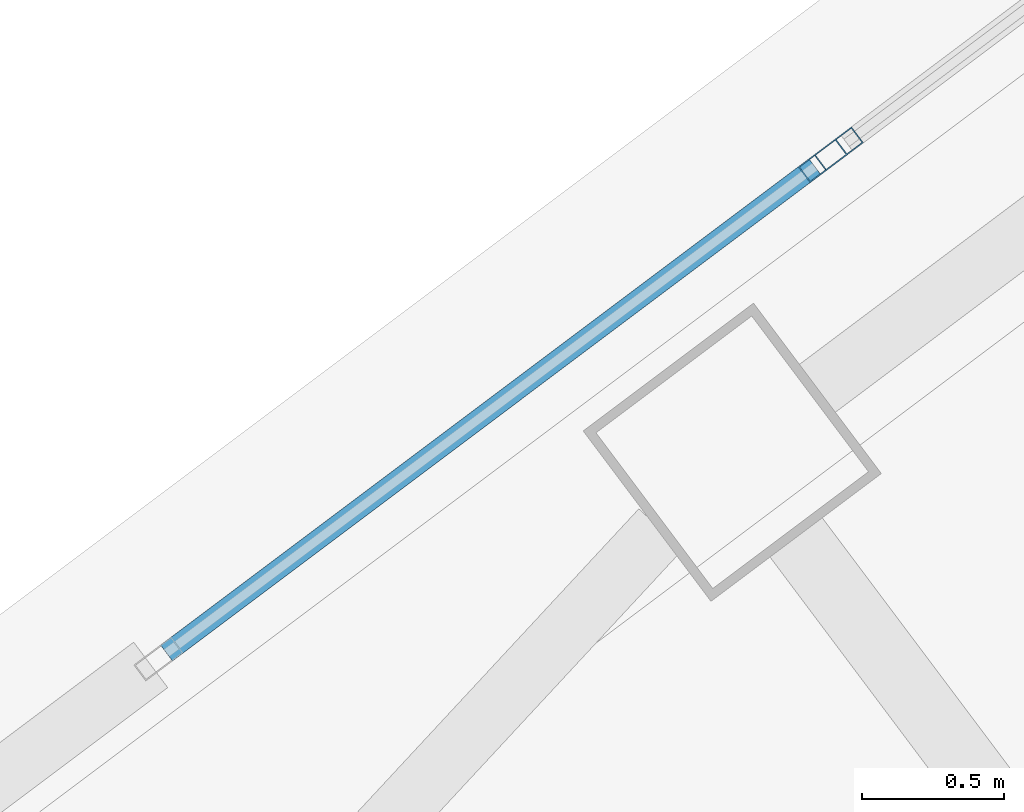
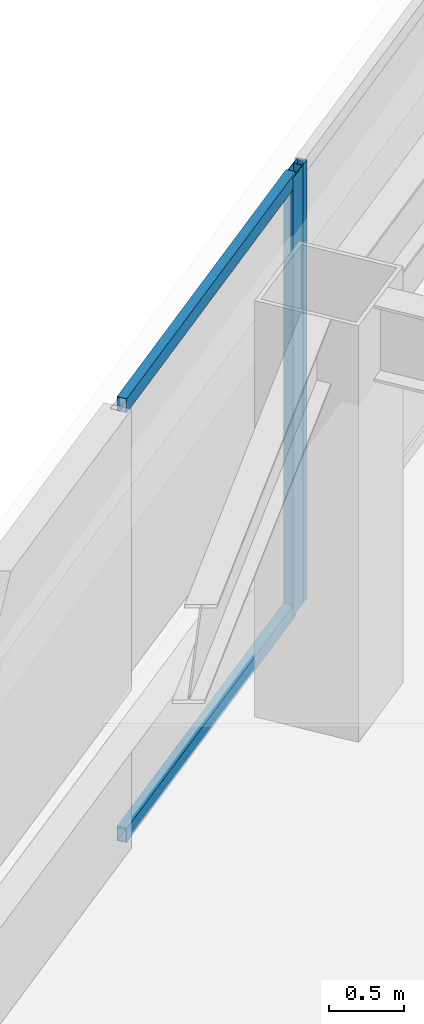
# One storey, part 21 of 39: 4 members, 2 elements without a shape of their own.
"""IFC4 building model written with IfcOpenShell, lengths in metres."""

from ifc_helpers import new_model, si_unit, direction, frame, origin, origin_2d, place, context, subcontext, project, spatial, hollow_rectangle, extrude, material, material_profile, profile_set, type_object, element, aggregate, save


model = new_model("IFC4")

# Units and contexts
model_context = context("Model", 3, precision=1e-05, world=origin(), true_north=direction((0.0, 1.0)))
body_context = subcontext(model_context, "Body", "Model", "MODEL_VIEW")
ifc_project = project(units=[si_unit("LENGTHUNIT", "METRE"), si_unit("AREAUNIT", "SQUARE_METRE"), si_unit("VOLUMEUNIT", "CUBIC_METRE"), si_unit("PLANEANGLEUNIT", "RADIAN"), si_unit("MASSUNIT", "GRAM", prefix="KILO")], contexts=[model_context])

# Site, building, storey
site_placement = place(None, origin())
site = spatial("IfcSite", under=ifc_project, at=site_placement, CompositionType="ELEMENT")
building_placement = place(site_placement, origin())
building = spatial("IfcBuilding", under=site, at=building_placement, Name="Tashvorn Skyway Center", CompositionType="ELEMENT")
storey_placement = place(building_placement, frame((0.0, 0.0, 225.5)))
storey = spatial("IfcBuildingStorey", under=building, at=storey_placement, Name="L61", CompositionType="ELEMENT", Elevation=225.5)

# Curtain wall, member
ifc_material = material(Name="Thermally broken bronze-anodized aluminium 6063-T6", Category="aluminium")
curtain_wall_type = type_object("IfcCurtainWallType", Name="CW-CW-Z5", PredefinedType="NOTDEFINED", material=ifc_material)
curtain_wall_1_placement = place(storey_placement, origin())
curtain_wall_1 = element("IfcCurtainWall", 1, at=curtain_wall_1_placement, inside=storey, type_object=curtain_wall_type, Name="Tower 2 L61 North Unitised Curtain Wall Glazing Group 1", PredefinedType="NOTDEFINED")
ifc_material_profile_1 = material_profile(ifc_material, hollow_rectangle(XDim=0.070068359375, YDim=0.1650390625, WallThickness=0.00390625, at=origin_2d()), Name="ALU-MULL-70x165")
ifc_profile_set_1 = profile_set([ifc_material_profile_1], Name="Thermally broken bronze-anodized aluminium 6063-T6")
member_type_1 = type_object("IfcMemberType", Name="CWM-CW-Z5", PredefinedType="MULLION", material=ifc_profile_set_1)
member_1_placement = place(storey_placement, frame((101.08935546875, 41.6669921875, 0.0), z_axis=(0.0, 0.0, 1.0), x_axis=(-0.600000000002, 0.799999999998, 0.0)))
member_1 = element("IfcMember", 2, at=member_1_placement, type_object=member_type_1, Name="CW-Z5 mullion 2", PredefinedType="MULLION", context=body_context, shape_type="SweptSolid", body=[
    extrude(hollow_rectangle(XDim=0.070068359375, YDim=0.1650390625, WallThickness=0.00390625, at=origin_2d()), origin(), (0.0, 0.0, 1.0), 3.550048828125),
])

curtain_wall_2_placement = place(storey_placement, origin())
curtain_wall_2 = element("IfcCurtainWall", 3, at=curtain_wall_2_placement, inside=storey, type_object=curtain_wall_type, Name="Tower 2 L61 North Unitised Curtain Wall Glazing Group 2", PredefinedType="NOTDEFINED")
member_2_placement = place(storey_placement, frame((101.145263671875, 41.708984375, 0.0), z_axis=(0.0, 0.0, 1.0), x_axis=(-0.599996439189, 0.800002670596, 0.0)))
member_2 = element("IfcMember", 4, at=member_2_placement, type_object=member_type_1, Name="CW-Z5 mullion 1", PredefinedType="MULLION", context=body_context, shape_type="SweptSolid", body=[
    extrude(hollow_rectangle(XDim=0.070068359375, YDim=0.1650390625, WallThickness=0.00390625, at=origin_2d()), origin(), (0.0, 0.0, 1.0), 3.550048828125),
])
aggregate(curtain_wall_2, [member_2])

# Member
ifc_material_profile_2 = material_profile(ifc_material, hollow_rectangle(XDim=0.070068359375, YDim=0.114990234375, WallThickness=0.00390625, at=origin_2d()), Name="ALU-TRAN-70x115")
ifc_profile_set_2 = profile_set([ifc_material_profile_2], Name="Thermally broken bronze-anodized aluminium 6063-T6")
member_type_2 = type_object("IfcMemberType", Name="CWT-CW-Z5", PredefinedType="USERDEFINED", material=ifc_profile_set_2)
member_3_placement = place(storey_placement, frame((98.77685546875, 39.9326171875, 0.034912109375), z_axis=(0.799989740316, 0.600013679335, 0.0), x_axis=(-0.600013679335, 0.799989740316, 0.0)))
member_3 = element("IfcMember", 5, at=member_3_placement, type_object=member_type_2, Name="CW-Z5 transom 1.1", ObjectType="TRANSOM", PredefinedType="USERDEFINED", context=body_context, shape_type="SweptSolid", body=[
    extrude(hollow_rectangle(XDim=0.070068359375, YDim=0.114990234375, WallThickness=0.00390625, at=origin_2d()), origin(), (0.0, 0.0, 1.0), 2.85546875),
])

member_4_placement = place(storey_placement, frame((98.77685546875, 39.9326171875, 3.514892578125), z_axis=(0.799989740316, 0.600013679335, 0.0), x_axis=(-0.600013679335, 0.799989740316, 0.0)))
member_4 = element("IfcMember", 6, at=member_4_placement, type_object=member_type_2, Name="CW-Z5 transom 1.2", ObjectType="TRANSOM", PredefinedType="USERDEFINED", context=body_context, shape_type="SweptSolid", body=[
    extrude(hollow_rectangle(XDim=0.070068359375, YDim=0.114990234375, WallThickness=0.00390625, at=origin_2d()), origin(), (0.0, 0.0, 1.0), 2.85546875),
])

aggregate(curtain_wall_1, [member_1, member_3, member_4])

save(model, "model.ifc")
